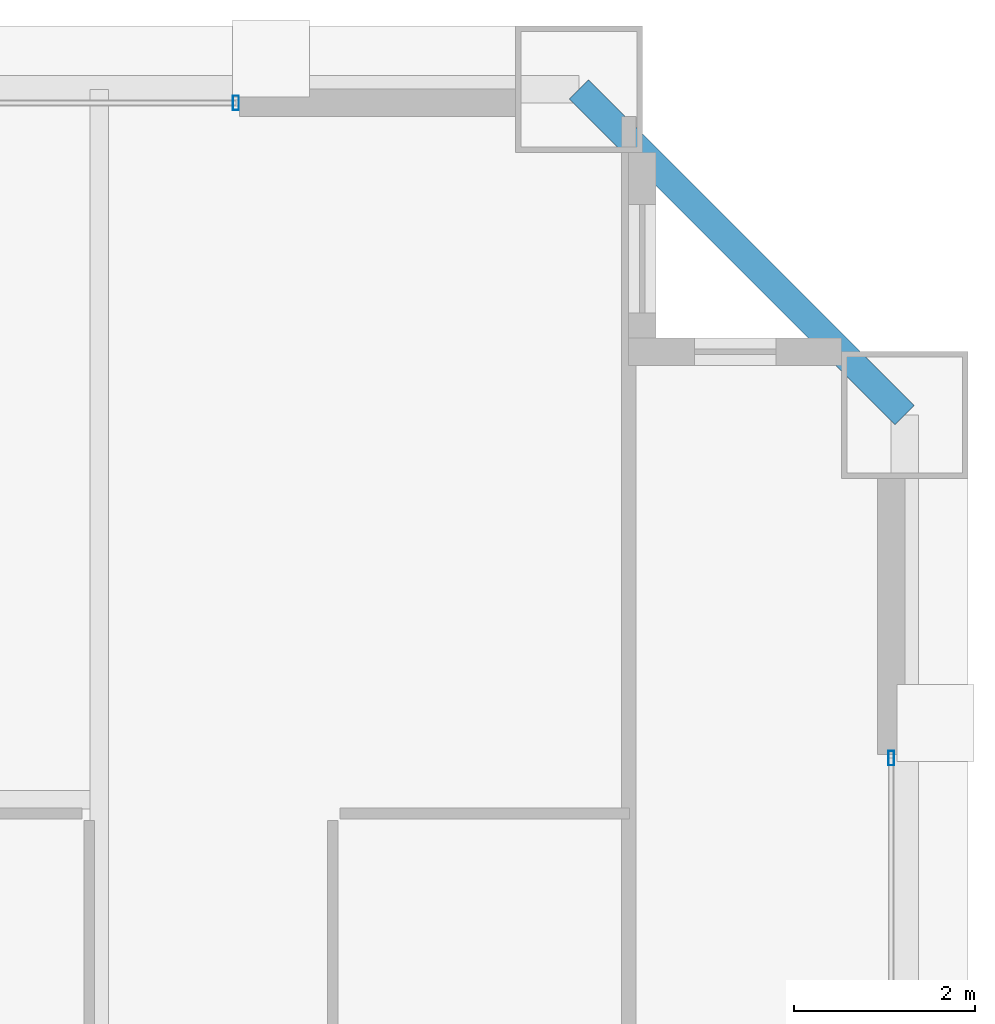
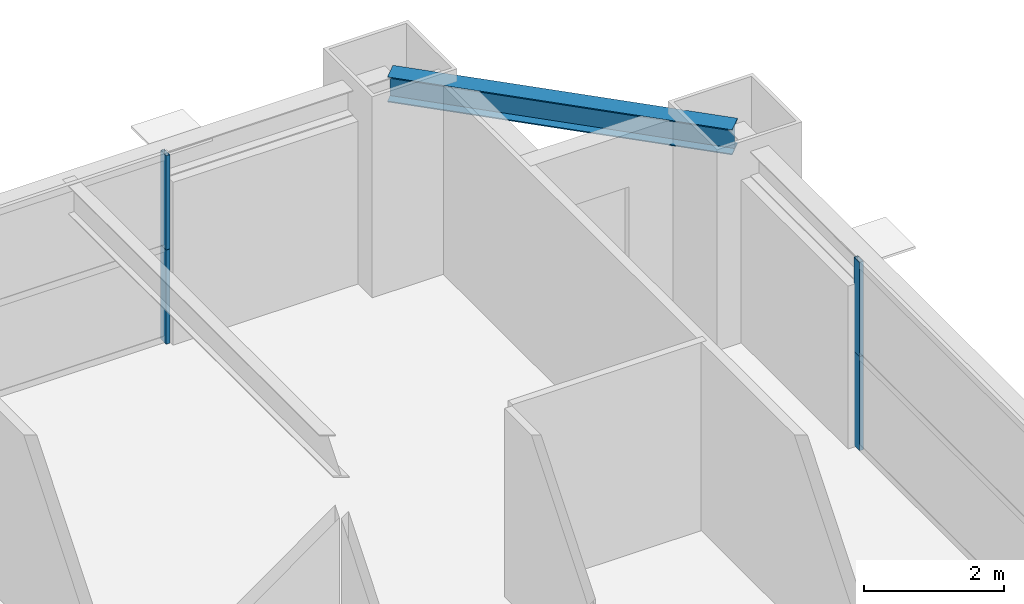
# One storey, part 31 of 38: 4 members, 1 beam, 2 elements without a shape of their own.
"""IFC4 building model written with IfcOpenShell, lengths in metres."""

from ifc_helpers import new_model, si_unit, direction, frame, origin, origin_2d, place, context, subcontext, project, spatial, hollow_rectangle, i_section, extrude, source, transform, mapped, material, layer, layer_set, material_profile, profile_set, type_object, element, aggregate, save


model = new_model("IFC4")

# Units and contexts
model_context = context("Model", 3, precision=1e-05, world=origin(), true_north=direction((0.0, 1.0)))
body_context = subcontext(model_context, "Body", "Model", "MODEL_VIEW")
ifc_project = project(units=[si_unit("LENGTHUNIT", "METRE"), si_unit("AREAUNIT", "SQUARE_METRE"), si_unit("VOLUMEUNIT", "CUBIC_METRE"), si_unit("PLANEANGLEUNIT", "RADIAN"), si_unit("MASSUNIT", "GRAM", prefix="KILO"), si_unit("THERMODYNAMICTEMPERATUREUNIT", "KELVIN"), si_unit("POWERUNIT", "WATT")], contexts=[model_context])

# Site, building, storey
site_placement = place(None, origin())
site = spatial("IfcSite", under=ifc_project, at=site_placement, CompositionType="ELEMENT")
building_placement = place(site_placement, origin())
building = spatial("IfcBuilding", under=site, at=building_placement, Name="Yuzanri Waterfront Tower", CompositionType="ELEMENT")
storey_placement = place(building_placement, frame((0.0, 0.0, 188.0)))
storey = spatial("IfcBuildingStorey", under=building, at=storey_placement, Name="L49", CompositionType="ELEMENT", Elevation=188.0)

# Beam
ifc_material_1 = material(Name="Steel Q355B", Category="steel")
ifc_material_profile_1 = material_profile(ifc_material_1, i_section(OverallWidth=0.300048828125, OverallDepth=0.43994140625, WebThickness=0.010986328125, FlangeThickness=0.01806640625, at=origin_2d()), Name="HM 440x300x11x18")
ifc_profile_set_1 = profile_set([ifc_material_profile_1], Name="Steel Q355B")
beam_type = type_object("IfcBeamType", Name="Perimeter Spandrel Q355B HM 440x300", PredefinedType="SPANDREL", material=ifc_profile_set_1)
shared_shape_1 = source(origin(), body_context, "Body", "SweptSolid", [
    extrude(i_section(OverallWidth=0.300048828125, OverallDepth=0.43994140625, WebThickness=0.010986328125, FlangeThickness=0.01806640625, at=origin_2d()), origin(), (0.0, 0.0, 1.0), 5.091064453125),
])
beam_placement = place(storey_placement, frame((59.10009765625, 44.300048828125, 3.06005859375), z_axis=(-0.707130757816, 0.707082803744, 0.0), x_axis=(-0.707082803744, -0.707130757816, 0.0)))
element("IfcBeam", 1, at=beam_placement, inside=storey, type_object=beam_type, Name="L49 Perimeter Spandrel E3-N3", PredefinedType="SPANDREL", context=body_context, shape_type="MappedRepresentation", body=[
    mapped(shared_shape_1, transform((0.0, 0.0, 0.0), scale=1.0)),
])

# Curtain wall, members
ifc_material_2 = material(Name="Anodized Architectural Bronze", Category="metal")
ifc_layer = layer(ifc_material_2, 0.159912109375)
ifc_layer_set = layer_set([ifc_layer], Name="Anodized Architectural Bronze")
curtain_wall_type = type_object("IfcCurtainWallType", Name="Anodized Bronze Mid-Rise Residential Acoustic Unitized Curtain Wall 7200", PredefinedType="NOTDEFINED", material=ifc_layer_set)
curtain_wall_1_placement = place(storey_placement, origin())
curtain_wall_1 = element("IfcCurtainWall", 2, at=curtain_wall_1_placement, inside=storey, type_object=curtain_wall_type, Name="L49 Curtain Wall CW-L49-NR", PredefinedType="NOTDEFINED")
ifc_material_3 = material(Name="Anodized Architectural Bronze", Category="metal")
ifc_material_profile_2 = material_profile(ifc_material_3, hollow_rectangle(XDim=0.06494140625, YDim=0.159912109375, WallThickness=0.00341796875, at=origin_2d()), Name="CWM 65x160")
ifc_profile_set_2 = profile_set([ifc_material_profile_2], Name="Anodized Architectural Bronze")
member_type = type_object("IfcMemberType", Name="Anodized Bronze Upper-Zone Curtain-Wall Mullion 65x160", PredefinedType="MULLION", material=ifc_profile_set_2)
shared_shape_2 = source(origin(), body_context, "Body", "SweptSolid", [
    extrude(hollow_rectangle(XDim=0.06494140625, YDim=0.159912109375, WallThickness=0.00341796875, at=origin_2d()), origin(), (0.0, 0.0, 1.0), 1.637939453125),
])
member_1_placement = place(storey_placement, frame((51.7099609375, 47.75, 0.0), z_axis=(0.0, 0.0, 1.0), x_axis=(1.0, 0.0, 0.0)))
member_1 = element("IfcMember", 3, at=member_1_placement, type_object=member_type, Name="CW-L49-NR Lower Mullion 02", PredefinedType="MULLION", context=body_context, shape_type="MappedRepresentation", body=[
    mapped(shared_shape_2, transform((0.0, 0.0, 0.0), scale=1.0)),
])
member_2_placement = place(storey_placement, frame((51.7099609375, 47.75, 1.64208984375), z_axis=(0.0, 0.0, 1.0), x_axis=(1.0, 0.0, 0.0)))
member_2 = element("IfcMember", 4, at=member_2_placement, type_object=member_type, Name="CW-L49-NR Upper Mullion 02", PredefinedType="MULLION", context=body_context, shape_type="MappedRepresentation", body=[
    mapped(shared_shape_2, transform((0.0, 0.0, 0.0), scale=1.0)),
])
aggregate(curtain_wall_1, [member_1, member_2])

curtain_wall_2_placement = place(storey_placement, origin())
curtain_wall_2 = element("IfcCurtainWall", 5, at=curtain_wall_2_placement, inside=storey, type_object=curtain_wall_type, Name="L49 Curtain Wall CW-L49-ER", PredefinedType="NOTDEFINED")
member_3_placement = place(storey_placement, frame((58.949951171875, 40.510009765625, 0.0), z_axis=(0.0, 0.0, 1.0), x_axis=(1.0, 0.0, 0.0)))
member_3 = element("IfcMember", 6, at=member_3_placement, type_object=member_type, Name="CW-L49-ER Lower Mullion 02", PredefinedType="MULLION", context=body_context, shape_type="MappedRepresentation", body=[
    mapped(shared_shape_2, transform((0.0, 0.0, 0.0), scale=1.0)),
])
member_4_placement = place(storey_placement, frame((58.949951171875, 40.510009765625, 1.64208984375), z_axis=(0.0, 0.0, 1.0), x_axis=(1.0, 0.0, 0.0)))
member_4 = element("IfcMember", 7, at=member_4_placement, type_object=member_type, Name="CW-L49-ER Upper Mullion 02", PredefinedType="MULLION", context=body_context, shape_type="MappedRepresentation", body=[
    mapped(shared_shape_2, transform((0.0, 0.0, 0.0), scale=1.0)),
])
aggregate(curtain_wall_2, [member_3, member_4])

save(model, "model.ifc")
